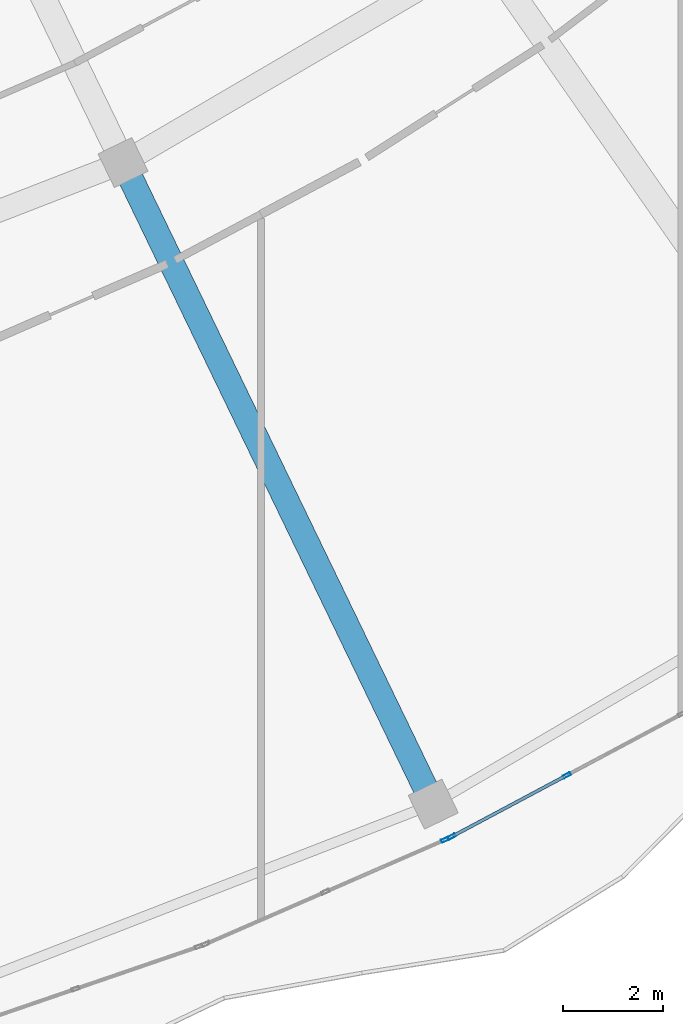
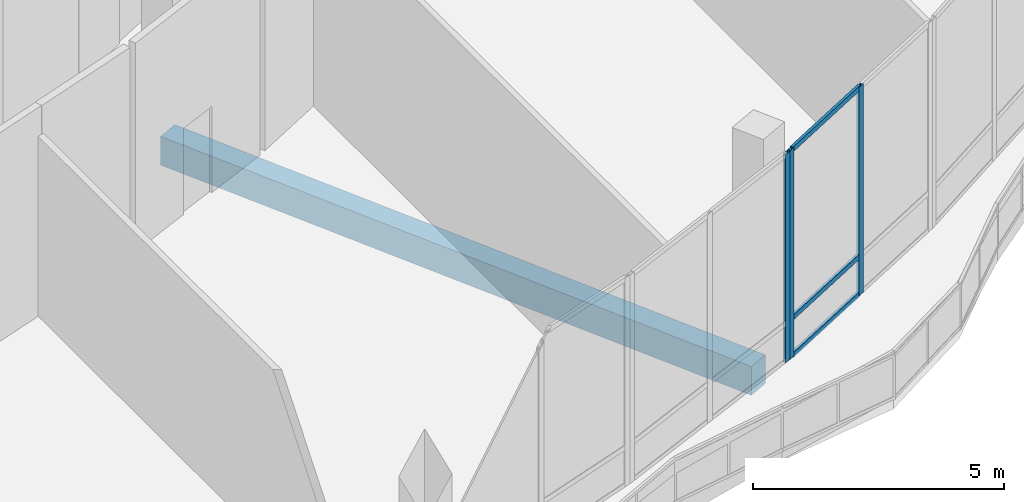
# One storey, part 45 of 158: 6 members, 1 beam, 2 elements without a shape of their own.
"""IFC4 building model written with IfcOpenShell, lengths in metres."""

from ifc_helpers import new_model, si_unit, direction, frame, origin, origin_2d, place, context, subcontext, project, spatial, rectangle, hollow_rectangle, extrude, material, material_profile, profile_set, type_object, element, aggregate, save


model = new_model("IFC4")

# Units and contexts
model_context = context("Model", 3, precision=1e-05, world=origin(), true_north=direction((0.0, 1.0)))
body_context = subcontext(model_context, "Body", "Model", "MODEL_VIEW")
ifc_project = project(units=[si_unit("LENGTHUNIT", "METRE"), si_unit("AREAUNIT", "SQUARE_METRE"), si_unit("VOLUMEUNIT", "CUBIC_METRE"), si_unit("PLANEANGLEUNIT", "RADIAN"), si_unit("MASSUNIT", "GRAM", prefix="KILO")], contexts=[model_context])

# Site, building, storey
site_placement = place(None, origin())
site = spatial("IfcSite", under=ifc_project, at=site_placement, CompositionType="ELEMENT")
building_placement = place(site_placement, origin())
building = spatial("IfcBuilding", under=site, at=building_placement, Name="Selatvlak General Hospital", CompositionType="ELEMENT")
storey_placement = place(building_placement, origin())
storey = spatial("IfcBuildingStorey", under=building, at=storey_placement, Name="L00", CompositionType="ELEMENT", Elevation=0.0)

# Beam
ifc_material_1 = material(Name="Concrete C40/50", Category="concrete")
ifc_material_profile_1 = material_profile(ifc_material_1, rectangle(XDim=0.5, YDim=0.699951171875, at=origin_2d()), Name="RC-BM 500x700")
ifc_profile_set_1 = profile_set([ifc_material_profile_1], Name="Concrete C40/50")
beam_type = type_object("IfcBeamType", Name="BM-G03", PredefinedType="BEAM", material=ifc_profile_set_1)
beam_placement = place(storey_placement, frame((78.842041015625, 32.22998046875, -0.699951171875), z_axis=(0.435208471864, -0.900329709616, 0.0), x_axis=(0.900329709616, 0.435208471864, 0.0)))
element("IfcBeam", 1, at=beam_placement, inside=storey, type_object=beam_type, Name="Beam BMR-L00-0348", PredefinedType="BEAM", context=body_context, shape_type="SweptSolid", body=[
    extrude(rectangle(XDim=0.5, YDim=0.699951171875, at=origin_2d()), origin(), (0.0, 0.0, 1.0), 14.25048828125),
])

# Curtain wall, members
ifc_material_2 = material(Name="Solar-control Low-E double glazing", Category="glass")
curtain_wall_type_1 = type_object("IfcCurtainWallType", Name="CW-CW-02", PredefinedType="USERDEFINED", material=ifc_material_2)
curtain_wall_1_placement = place(storey_placement, origin())
curtain_wall_1 = element("IfcCurtainWall", 2, at=curtain_wall_1_placement, inside=storey, type_object=curtain_wall_type_1, Name="Glazed facade curtain wall CW-L00-0048", ObjectType="UNITISED CURTAIN WALL", PredefinedType="USERDEFINED")
ifc_material_3 = material(Name="Dark anodised aluminium mullion", Category="aluminium")
ifc_material_profile_2 = material_profile(ifc_material_3, hollow_rectangle(XDim=0.06494140625, YDim=0.159912109375, WallThickness=0.00390625, at=origin_2d()), Name="AL-MUL 65x160x4")
ifc_profile_set_2 = profile_set([ifc_material_profile_2], Name="Dark anodised aluminium mullion")
member_type_1 = type_object("IfcMemberType", Name="CWM-01", PredefinedType="MULLION", material=ifc_profile_set_2)
member_1_placement = place(storey_placement, frame((87.715576171875, 19.97607421875, 0.0), z_axis=(0.0, 0.0, 1.0), x_axis=(0.470450719515, -0.882426269162, 0.0)))
member_1 = element("IfcMember", 3, at=member_1_placement, type_object=member_type_1, Name="CW-02 mullion 2", PredefinedType="MULLION", context=body_context, shape_type="SweptSolid", body=[
    extrude(hollow_rectangle(XDim=0.06494140625, YDim=0.159912109375, WallThickness=0.00390625, at=origin_2d()), origin(), (0.0, 0.0, 1.0), 5.080078125),
])
member_2_placement = place(storey_placement, frame((85.41259765625, 18.748291015625, 0.0), z_axis=(0.0, 0.0, 1.0), x_axis=(0.470450719515, -0.882426269162, 0.0)))
member_2 = element("IfcMember", 4, at=member_2_placement, type_object=member_type_1, Name="CW-02 mullion 3", PredefinedType="MULLION", context=body_context, shape_type="SweptSolid", body=[
    extrude(hollow_rectangle(XDim=0.06494140625, YDim=0.159912109375, WallThickness=0.00390625, at=origin_2d()), origin(), (0.0, 0.0, 1.0), 5.080078125),
])

# Curtain wall, member
curtain_wall_type_2 = type_object("IfcCurtainWallType", Name="CW-CW-01", PredefinedType="USERDEFINED", material=ifc_material_2)
curtain_wall_2_placement = place(storey_placement, origin())
curtain_wall_2 = element("IfcCurtainWall", 5, at=curtain_wall_2_placement, inside=storey, type_object=curtain_wall_type_2, Name="Glazed facade curtain wall CW-L00-0049", ObjectType="UNITISED CURTAIN WALL", PredefinedType="USERDEFINED")
member_3_placement = place(storey_placement, frame((85.28125, 18.68701171875, 0.0), z_axis=(0.0, 0.0, 1.0), x_axis=(0.399389828763, -0.916781197822, 0.0)))
member_3 = element("IfcMember", 6, at=member_3_placement, type_object=member_type_1, Name="CW-01 mullion 1", PredefinedType="MULLION", context=body_context, shape_type="SweptSolid", body=[
    extrude(hollow_rectangle(XDim=0.06494140625, YDim=0.159912109375, WallThickness=0.00390625, at=origin_2d()), origin(), (0.0, 0.0, 1.0), 5.080078125),
])
aggregate(curtain_wall_2, [member_3])

# Member
ifc_material_profile_3 = material_profile(ifc_material_3, hollow_rectangle(XDim=0.06494140625, YDim=0.1201171875, WallThickness=0.00390625, at=origin_2d()), Name="AL-TRN 65x120x4")
ifc_profile_set_3 = profile_set([ifc_material_profile_3], Name="Dark anodised aluminium mullion")
member_type_2 = type_object("IfcMemberType", Name="CWT-01", PredefinedType="USERDEFINED", material=ifc_profile_set_3)
member_4_placement = place(storey_placement, frame((87.686767578125, 19.960693359375, 0.032470703125), z_axis=(-0.882435263812, -0.470433847827, 0.0), x_axis=(0.470433847827, -0.882435263812, 0.0)))
member_4 = element("IfcMember", 7, at=member_4_placement, type_object=member_type_2, Name="CW-02 transom 2.1", ObjectType="TRANSOM", PredefinedType="USERDEFINED", context=body_context, shape_type="SweptSolid", body=[
    extrude(hollow_rectangle(XDim=0.06494140625, YDim=0.1201171875, WallThickness=0.00390625, at=origin_2d()), origin(), (0.0, 0.0, 1.0), 2.54443359375),
])

member_5_placement = place(storey_placement, frame((87.686767578125, 19.960693359375, 0.949951171875), z_axis=(-0.882435263812, -0.470433847827, 0.0), x_axis=(0.470433847827, -0.882435263812, 0.0)))
member_5 = element("IfcMember", 8, at=member_5_placement, type_object=member_type_2, Name="CW-02 transom 2.2", ObjectType="TRANSOM", PredefinedType="USERDEFINED", context=body_context, shape_type="SweptSolid", body=[
    extrude(hollow_rectangle(XDim=0.06494140625, YDim=0.1201171875, WallThickness=0.00390625, at=origin_2d()), origin(), (0.0, 0.0, 1.0), 2.54443359375),
])

member_6_placement = place(storey_placement, frame((87.686767578125, 19.960693359375, 5.047607421875), z_axis=(-0.882435263812, -0.470433847827, 0.0), x_axis=(0.470433847827, -0.882435263812, 0.0)))
member_6 = element("IfcMember", 9, at=member_6_placement, type_object=member_type_2, Name="CW-02 transom 2.3", ObjectType="TRANSOM", PredefinedType="USERDEFINED", context=body_context, shape_type="SweptSolid", body=[
    extrude(hollow_rectangle(XDim=0.06494140625, YDim=0.1201171875, WallThickness=0.00390625, at=origin_2d()), origin(), (0.0, 0.0, 1.0), 2.54443359375),
])

aggregate(curtain_wall_1, [member_1, member_2, member_4, member_5, member_6])

save(model, "model.ifc")
